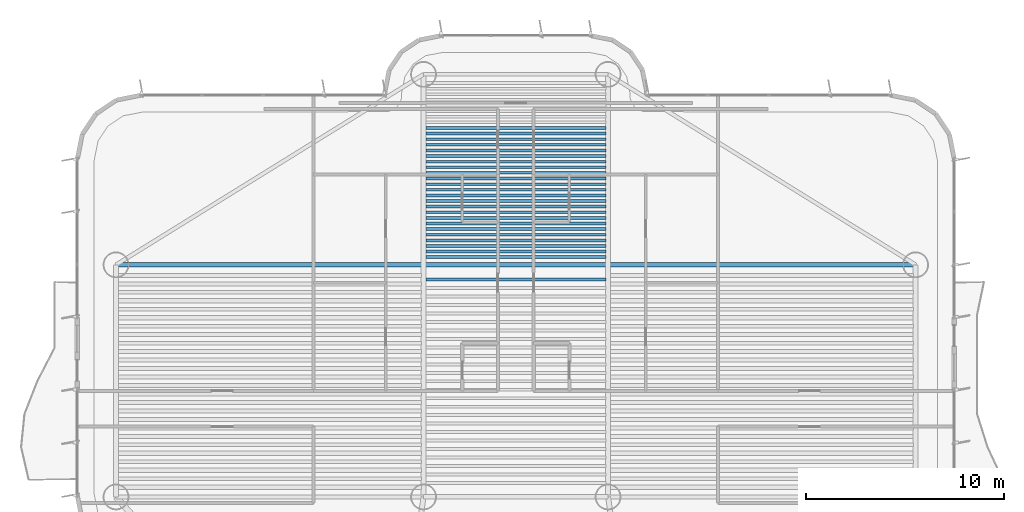
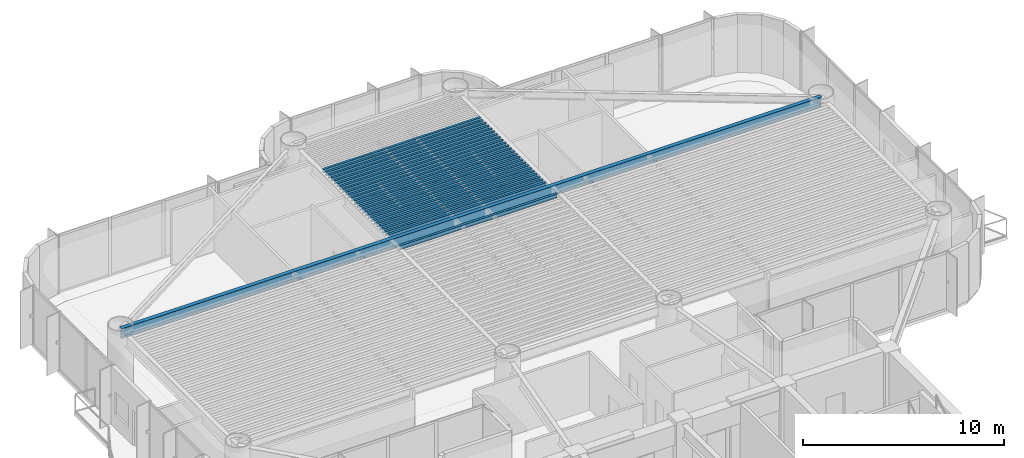
# One storey, part 6 of 16: 26 beams.
"""IFC4 building model written with IfcOpenShell, lengths in metres."""

from ifc_helpers import new_model, si_unit, direction, frame, origin, origin_2d, place, context, subcontext, project, spatial, i_section, extrude, source, transform, mapped, material, material_profile, profile_set, type_object, element, save


model = new_model("IFC4")

# Units and contexts
model_context = context("Model", 3, precision=1e-05, world=origin(), true_north=direction((0.0, 1.0)))
body_context = subcontext(model_context, "Body", "Model", "MODEL_VIEW")
ifc_project = project(units=[si_unit("LENGTHUNIT", "METRE"), si_unit("AREAUNIT", "SQUARE_METRE"), si_unit("VOLUMEUNIT", "CUBIC_METRE"), si_unit("PLANEANGLEUNIT", "RADIAN"), si_unit("MASSUNIT", "GRAM", prefix="KILO")], contexts=[model_context])

# Site, building, storey
site_placement = place(None, origin())
site = spatial("IfcSite", under=ifc_project, at=site_placement, CompositionType="ELEMENT")
building_placement = place(site_placement, origin())
building = spatial("IfcBuilding", under=site, at=building_placement, Name="Brelvock Crest Care Tower", CompositionType="ELEMENT")
storey_placement = place(building_placement, frame((0.0, 0.0, 138.9599609375)))
storey = spatial("IfcBuildingStorey", under=building, at=storey_placement, Name="L35", CompositionType="ELEMENT", Elevation=138.9599609375)

# Beams
ifc_material = material(Name="Steel Grade 350", Category="steel")
ifc_material_profile_1 = material_profile(ifc_material, i_section(OverallWidth=0.14599609375, OverallDepth=0.256103515625, WebThickness=0.00634765625, FlangeThickness=0.010986328125, FilletRadius=0.0087890625, at=origin_2d()), Name="250UB37.3")
ifc_profile_set_1 = profile_set([ifc_material_profile_1], Name="Steel Grade 350")
beam_type_1 = type_object("IfcBeamType", Name="BM-J3", PredefinedType="JOIST", material=ifc_profile_set_1)
shared_shape_1 = source(origin(), body_context, "Body", "SweptSolid", [
    extrude(i_section(OverallWidth=0.14599609375, OverallDepth=0.256103515625, WebThickness=0.00634765625, FlangeThickness=0.010986328125, FilletRadius=0.0087890625, at=origin_2d()), origin(), (0.0, 0.0, 1.0), 9.06982421875),
])
for number, where, z_axis, x_axis, name in (
    (1, (31.465087890625, 38.10400390625, 3.402099609375), (1.0, 0.0, 0.0), (0.0, 1.0, 0.0), "BM-JH-L35-25"),
    (2, (31.465087890625, 39.23388671875, 3.402099609375), (1.0, 0.0, 0.0), (0.0, 1.0, 0.0), "BM-JN-L35-1"),
    (3, (31.465087890625, 39.51708984375, 3.402099609375), (1.0, 0.0, 0.0), (0.0, 1.0, 0.0), "BM-JN-L35-2"),
    (4, (31.465087890625, 39.80029296875, 3.402099609375), (1.0, 0.0, 0.0), (0.0, 1.0, 0.0), "BM-JN-L35-3"),
    (5, (31.465087890625, 40.08349609375, 3.402099609375), (1.0, 0.0, 0.0), (0.0, 1.0, 0.0), "BM-JN-L35-4"),
    (6, (31.465087890625, 40.36669921875, 3.402099609375), (1.0, 0.0, 0.0), (0.0, 1.0, 0.0), "BM-JN-L35-5"),
    (7, (31.465087890625, 40.64990234375, 3.402099609375), (1.0, 0.0, 0.0), (0.0, 1.0, 0.0), "BM-JN-L35-6"),
    (8, (31.465087890625, 40.93310546875, 3.402099609375), (1.0, 0.0, 0.0), (0.0, 1.0, 0.0), "BM-JN-L35-7"),
    (9, (31.465087890625, 41.21630859375, 3.402099609375), (1.0, 0.0, 0.0), (0.0, 1.0, 0.0), "BM-JN-L35-8"),
    (10, (31.465087890625, 41.49951171875, 3.402099609375), (1.0, 0.0, 0.0), (0.0, 1.0, 0.0), "BM-JN-L35-9"),
    (11, (31.465087890625, 41.78271484375, 3.402099609375), (1.0, 0.0, 0.0), (0.0, 1.0, 0.0), "BM-JN-L35-10"),
    (12, (31.465087890625, 42.06591796875, 3.402099609375), (1.0, 0.0, 0.0), (0.0, 1.0, 0.0), "BM-JN-L35-11"),
    (13, (31.465087890625, 42.34912109375, 3.402099609375), (1.0, 0.0, 0.0), (0.0, 1.0, 0.0), "BM-JN-L35-12"),
    (14, (31.465087890625, 42.63232421875, 3.402099609375), (1.0, 0.0, 0.0), (0.0, 1.0, 0.0), "BM-JN-L35-13"),
):
    element("IfcBeam", number, at=place(storey_placement, frame(where, z_axis=z_axis, x_axis=x_axis)), inside=storey, type_object=beam_type_1, Name=name, PredefinedType="JOIST", context=body_context, shape_type="MappedRepresentation", body=[
        mapped(shared_shape_1, transform((0.0, 0.0, 0.0), x_axis=(1.0, 0.0, 0.0), y_axis=(0.0, 1.0, 0.0), z_axis=(0.0, 0.0, 1.0), scale=1.0)),
    ])
ifc_material_profile_2 = material_profile(ifc_material, i_section(OverallWidth=0.134033203125, OverallDepth=0.20703125, WebThickness=0.00634765625, FlangeThickness=0.009521484375, FilletRadius=0.0087890625, at=origin_2d()), Name="200UB29.8")
ifc_profile_set_2 = profile_set([ifc_material_profile_2], Name="Steel Grade 350")
beam_type_2 = type_object("IfcBeamType", Name="BM-J4", PredefinedType="JOIST", material=ifc_profile_set_2)
shared_shape_2 = source(origin(), body_context, "Body", "SweptSolid", [
    extrude(i_section(OverallWidth=0.134033203125, OverallDepth=0.20703125, WebThickness=0.00634765625, FlangeThickness=0.009521484375, FilletRadius=0.0087890625, at=origin_2d()), origin(), (0.0, 0.0, 1.0), 9.06982421875),
])
for number, where, z_axis, x_axis, name in (
    (15, (31.465087890625, 42.91552734375, 3.426513671875), (1.0, 0.0, 0.0), (0.0, 1.0, 0.0), "BM-JN-L35-14"),
    (16, (31.465087890625, 43.19873046875, 3.426513671875), (1.0, 0.0, 0.0), (0.0, 1.0, 0.0), "BM-JN-L35-15"),
    (17, (31.465087890625, 43.48193359375, 3.426513671875), (1.0, 0.0, 0.0), (0.0, 1.0, 0.0), "BM-JN-L35-16"),
    (18, (31.465087890625, 43.76513671875, 3.426513671875), (1.0, 0.0, 0.0), (0.0, 1.0, 0.0), "BM-JN-L35-17"),
    (19, (31.465087890625, 44.04833984375, 3.426513671875), (1.0, 0.0, 0.0), (0.0, 1.0, 0.0), "BM-JN-L35-18"),
    (20, (31.465087890625, 44.33154296875, 3.426513671875), (1.0, 0.0, 0.0), (0.0, 1.0, 0.0), "BM-JN-L35-19"),
    (21, (31.465087890625, 44.61474609375, 3.426513671875), (1.0, 0.0, 0.0), (0.0, 1.0, 0.0), "BM-JN-L35-20"),
    (22, (31.465087890625, 44.89794921875, 3.426513671875), (1.0, 0.0, 0.0), (0.0, 1.0, 0.0), "BM-JN-L35-21"),
    (23, (31.465087890625, 45.18115234375, 3.426513671875), (1.0, 0.0, 0.0), (0.0, 1.0, 0.0), "BM-JN-L35-22"),
    (24, (31.465087890625, 45.46435546875, 3.426513671875), (1.0, 0.0, 0.0), (0.0, 1.0, 0.0), "BM-JN-L35-23"),
    (25, (31.465087890625, 45.74755859375, 3.426513671875), (1.0, 0.0, 0.0), (0.0, 1.0, 0.0), "BM-JN-L35-24"),
):
    element("IfcBeam", number, at=place(storey_placement, frame(where, z_axis=z_axis, x_axis=x_axis)), inside=storey, type_object=beam_type_2, Name=name, PredefinedType="JOIST", context=body_context, shape_type="MappedRepresentation", body=[
        mapped(shared_shape_2, transform((0.0, 0.0, 0.0), x_axis=(1.0, 0.0, 0.0), y_axis=(0.0, 1.0, 0.0), z_axis=(0.0, 0.0, 1.0), scale=1.0)),
    ])
ifc_material_profile_3 = material_profile(ifc_material, i_section(OverallWidth=0.22900390625, OverallDepth=0.612060546875, WebThickness=0.011962890625, FlangeThickness=0.01953125, FilletRadius=0.013916015625, at=origin_2d()), Name="610UB125")
ifc_profile_set_3 = profile_set([ifc_material_profile_3], Name="Steel Grade 350")
beam_type_3 = type_object("IfcBeamType", Name="BM-G1", PredefinedType="BEAM", material=ifc_profile_set_3)
shared_shape_3 = source(origin(), body_context, "Body", "SweptSolid", [
    extrude(i_section(OverallWidth=0.22900390625, OverallDepth=0.612060546875, WebThickness=0.011962890625, FlangeThickness=0.01953125, FilletRadius=0.013916015625, at=origin_2d()), origin(), (0.0, 0.0, 1.0), 40.2998046875),
])
beam_placement = place(storey_placement, frame((15.85009765625, 38.85009765625, 3.22412109375), z_axis=(1.0, 0.0, 0.0), x_axis=(0.0, 1.0, 0.0)))
element("IfcBeam", 26, at=beam_placement, inside=storey, type_object=beam_type_3, Name="BM-TWR-L35-11", PredefinedType="BEAM", context=body_context, shape_type="MappedRepresentation", body=[
    mapped(shared_shape_3, transform((0.0, 0.0, 0.0), x_axis=(1.0, 0.0, 0.0), y_axis=(0.0, 1.0, 0.0), z_axis=(0.0, 0.0, 1.0), scale=1.0)),
])

save(model, "model.ifc")
